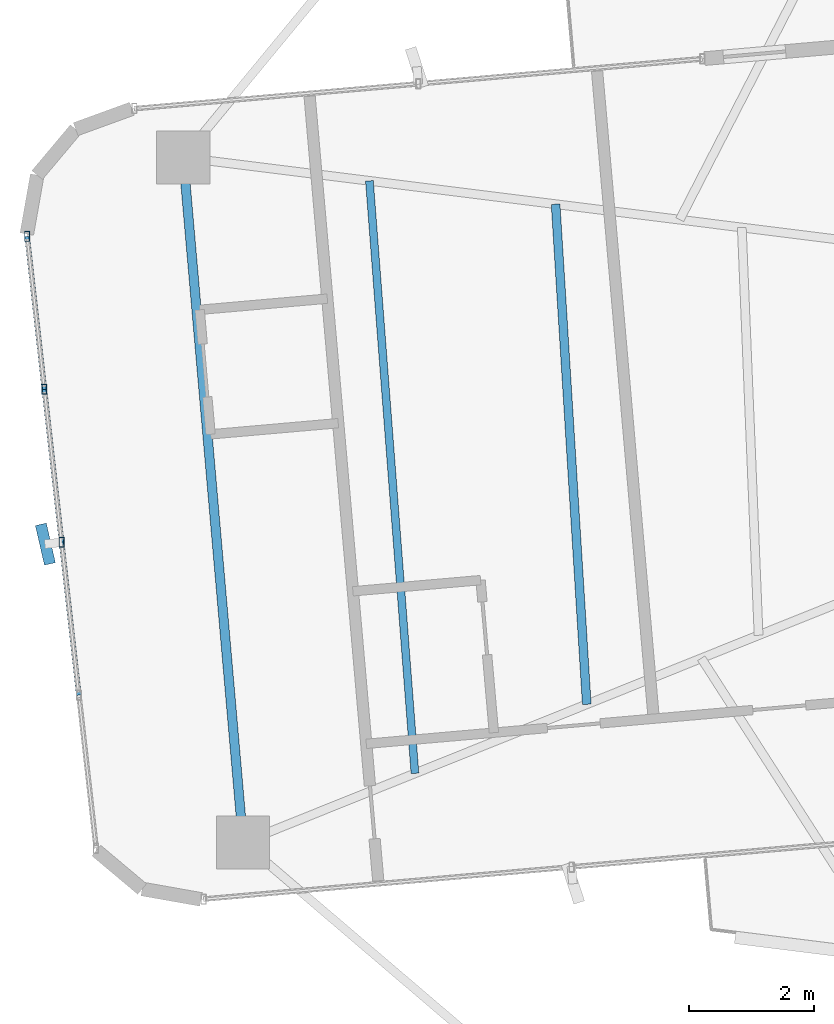
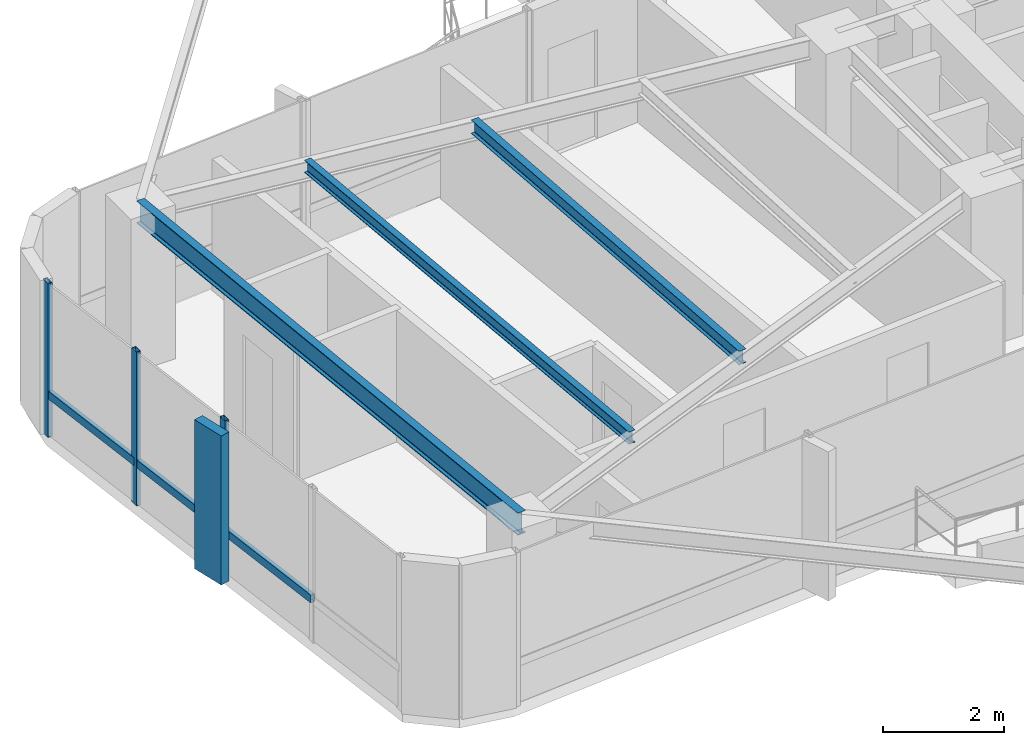
# One storey, part 8 of 24: 7 members, 3 beams, 1 element without a shape of its own.
"""IFC4 building model written with IfcOpenShell, lengths in metres."""

from ifc_helpers import new_model, si_unit, direction, frame, origin, origin_2d, place, context, subcontext, project, spatial, rectangle, hollow_rectangle, i_section, extrude, source, transform, mapped, material, material_profile, profile_set, type_object, element, aggregate, save


model = new_model("IFC4")

# Units and contexts
model_context = context("Model", 3, precision=1e-05, world=origin(), true_north=direction((0.0, 1.0)))
body_context = subcontext(model_context, "Body", "Model", "MODEL_VIEW")
ifc_project = project(units=[si_unit("LENGTHUNIT", "METRE"), si_unit("AREAUNIT", "SQUARE_METRE"), si_unit("VOLUMEUNIT", "CUBIC_METRE"), si_unit("PLANEANGLEUNIT", "RADIAN"), si_unit("MASSUNIT", "GRAM", prefix="KILO")], contexts=[model_context])

# Site, building, storey
site_placement = place(None, origin())
site = spatial("IfcSite", under=ifc_project, at=site_placement, CompositionType="ELEMENT")
building_placement = place(site_placement, origin())
building = spatial("IfcBuilding", under=site, at=building_placement, Name="Sahyath Konkavel Grand Hotel", CompositionType="ELEMENT")
storey_placement = place(building_placement, frame((0.0, 0.0, 195.300048828125)))
storey = spatial("IfcBuildingStorey", under=building, at=storey_placement, Name="L54", CompositionType="ELEMENT", Elevation=195.300048828125)

# Beams
ifc_material_1 = material(Name="Steel E350", Category="steel")
ifc_material_profile_1 = material_profile(ifc_material_1, i_section(OverallWidth=0.14990234375, OverallDepth=0.449951171875, WebThickness=0.009521484375, FlangeThickness=0.017333984375, FilletRadius=0.014892578125, at=origin_2d()), Name="ISMB 450")
ifc_profile_set_1 = profile_set([ifc_material_profile_1], Name="Steel E350")
beam_type_1 = type_object("IfcBeamType", Name="BM-ISMB450", PredefinedType="BEAM", material=ifc_profile_set_1)
shared_shape_1 = source(origin(), body_context, "Body", "SweptSolid", [
    extrude(i_section(OverallWidth=0.14990234375, OverallDepth=0.449951171875, WebThickness=0.009521484375, FlangeThickness=0.017333984375, FilletRadius=0.014892578125, at=origin_2d()), origin(), (0.0, 0.0, 1.0), 11.0),
])
beam_1_placement = place(storey_placement, frame((-17.912841796875, 3.953857421875, 2.885009765625), z_axis=(0.087157314015, -0.996194560622, 0.0), x_axis=(0.996194560622, 0.087157314015, 0.0)))
element("IfcBeam", 1, at=beam_1_placement, inside=storey, type_object=beam_type_1, Name="L54 Wing Tip Edge Beam W", PredefinedType="BEAM", context=body_context, shape_type="MappedRepresentation", body=[
    mapped(shared_shape_1, transform((0.0, 0.0, 0.0), scale=1.0)),
])
ifc_material_profile_2 = material_profile(ifc_material_1, i_section(OverallWidth=0.139892578125, OverallDepth=0.27490234375, WebThickness=0.00634765625, FlangeThickness=0.0087890625, FilletRadius=0.012939453125, at=origin_2d()), Name="ISLB 275")
ifc_profile_set_2 = profile_set([ifc_material_profile_2], Name="Steel E350")
beam_type_2 = type_object("IfcBeamType", Name="BM-ISLB275", PredefinedType="BEAM", material=ifc_profile_set_2)
shared_shape_2 = source(origin(), body_context, "Body", "SweptSolid", [
    extrude(i_section(OverallWidth=0.139892578125, OverallDepth=0.27490234375, WebThickness=0.00634765625, FlangeThickness=0.0087890625, FilletRadius=0.012939453125, at=origin_2d()), origin(), (0.0, 0.0, 1.0), 8.017822265625),
])
beam_2_placement = place(storey_placement, frame((-11.95458984375, 3.2080078125, 2.972412109375), z_axis=(0.062179233264, -0.998064999362, 0.0), x_axis=(0.998064999362, 0.062179233264, 0.0)))
element("IfcBeam", 2, at=beam_2_placement, inside=storey, type_object=beam_type_2, Name="L54 Secondary Floor Beam W-2", PredefinedType="BEAM", context=body_context, shape_type="MappedRepresentation", body=[
    mapped(shared_shape_2, transform((0.0, 0.0, 0.0), scale=1.0)),
])
ifc_material_profile_3 = material_profile(ifc_material_1, i_section(OverallWidth=0.125, OverallDepth=0.25, WebThickness=0.0068359375, FlangeThickness=0.012451171875, FilletRadius=0.012939453125, at=origin_2d()), Name="ISMB 250")
ifc_profile_set_3 = profile_set([ifc_material_profile_3], Name="Steel E350")
beam_type_3 = type_object("IfcBeamType", Name="BM-ISMB250", PredefinedType="BEAM", material=ifc_profile_set_3)
shared_shape_3 = source(origin(), body_context, "Body", "SweptSolid", [
    extrude(i_section(OverallWidth=0.125, OverallDepth=0.25, WebThickness=0.0068359375, FlangeThickness=0.012451171875, FilletRadius=0.012939453125, at=origin_2d()), origin(), (0.0, 0.0, 1.0), 9.508056640625),
])
beam_3_placement = place(storey_placement, frame((-14.93359375, 3.580810546875, 2.98486328125), z_axis=(0.076619921029, -0.997060373148, 0.0), x_axis=(0.997060373148, 0.076619921029, 0.0)))
element("IfcBeam", 3, at=beam_3_placement, inside=storey, type_object=beam_type_3, Name="L54 Secondary Floor Beam W-3", PredefinedType="BEAM", context=body_context, shape_type="MappedRepresentation", body=[
    mapped(shared_shape_3, transform((0.0, 0.0, 0.0), scale=1.0)),
])

# Curtain wall, members
ifc_material_2 = material(Name="Anodised Bronze Aluminium & Low-E Glazing", Category="aluminium")
curtain_wall_type = type_object("IfcCurtainWallType", Name="CW-ZONE3", PredefinedType="NOTDEFINED", material=ifc_material_2)
curtain_wall_placement = place(storey_placement, origin())
curtain_wall = element("IfcCurtainWall", 4, at=curtain_wall_placement, inside=storey, type_object=curtain_wall_type, Name="L54 Unitised Curtain Wall F20", PredefinedType="NOTDEFINED")
ifc_material_3 = material(Name="Anodised Bronze Aluminium", Category="aluminium")
ifc_material_profile_4 = material_profile(ifc_material_3, hollow_rectangle(XDim=0.080078125, YDim=0.159912109375, WallThickness=0.006103515625, at=origin_2d()), Name="RHS 160x80x6")
ifc_profile_set_4 = profile_set([ifc_material_profile_4], Name="Anodised Bronze Aluminium")
member_type_1 = type_object("IfcMemberType", Name="CW-MUL-160", PredefinedType="MULLION", material=ifc_profile_set_4)
shared_shape_4 = source(origin(), body_context, "Body", "SweptSolid", [
    extrude(hollow_rectangle(XDim=0.080078125, YDim=0.159912109375, WallThickness=0.006103515625, at=origin_2d()), origin(), (0.0, 0.0, 1.0), 3.10986328125),
])
member_1_placement = place(storey_placement, frame((-20.4111328125, 2.69140625, 0.0), z_axis=(0.0, 0.0, 1.0), x_axis=(1.0, 0.0, 0.0)))
member_1 = element("IfcMember", 5, at=member_1_placement, type_object=member_type_1, Name="L54 Curtain Wall Mullion F20-0", PredefinedType="MULLION", context=body_context, shape_type="MappedRepresentation", body=[
    mapped(shared_shape_4, transform((0.0, 0.0, 0.0), scale=1.0)),
])
member_2_placement = place(storey_placement, frame((-20.135498046875, 0.24462890625, 0.0), z_axis=(0.0, 0.0, 1.0), x_axis=(1.0, 0.0, 0.0)))
member_2 = element("IfcMember", 6, at=member_2_placement, type_object=member_type_1, Name="L54 Curtain Wall Mullion F20-1", PredefinedType="MULLION", context=body_context, shape_type="MappedRepresentation", body=[
    mapped(shared_shape_4, transform((0.0, 0.0, 0.0), scale=1.0)),
])
member_3_placement = place(storey_placement, frame((-19.859619140625, -2.201904296875, 0.0), z_axis=(0.0, 0.0, 1.0), x_axis=(1.0, 0.0, 0.0)))
member_3 = element("IfcMember", 7, at=member_3_placement, type_object=member_type_1, Name="L54 Curtain Wall Mullion F20-2", PredefinedType="MULLION", context=body_context, shape_type="MappedRepresentation", body=[
    mapped(shared_shape_4, transform((0.0, 0.0, 0.0), scale=1.0)),
])
ifc_material_4 = material(Name="Warm Buff Sandstone Cladding on Concrete C50/60", Category="masonry")
ifc_material_profile_5 = material_profile(ifc_material_4, rectangle(XDim=0.179931640625, YDim=0.64990234375, at=origin_2d()), Name="FIN 180x650")
ifc_profile_set_5 = profile_set([ifc_material_profile_5], Name="Warm Buff Sandstone Cladding on Concrete C50/60")
member_type_2 = type_object("IfcMemberType", Name="FIN-SANDSTONE-650", PredefinedType="MULLION", material=ifc_profile_set_5)
shared_shape_5 = source(origin(), body_context, "Body", "SweptSolid", [
    extrude(rectangle(XDim=0.179931640625, YDim=0.64990234375, at=origin_2d()), origin(), (0.0, 0.0, 1.0), 3.010009765625),
])
member_4_placement = place(storey_placement, frame((-20.1181640625, -2.23095703125, 0.050048828125), z_axis=(0.0, 0.0, 1.0), x_axis=(0.974644167091, 0.223760469153, 0.0)))
member_4 = element("IfcMember", 8, at=member_4_placement, type_object=member_type_2, Name="L54 Sandstone Vertical Solar Fin FIN F20-2", PredefinedType="MULLION", context=body_context, shape_type="MappedRepresentation", body=[
    mapped(shared_shape_5, transform((0.0, 0.0, 0.0), scale=1.0)),
])
ifc_material_profile_6 = material_profile(ifc_material_3, hollow_rectangle(XDim=0.080078125, YDim=0.159912109375, WallThickness=0.006103515625, at=origin_2d()), Name="RHS 160x80x6")
ifc_profile_set_6 = profile_set([ifc_material_profile_6], Name="Anodised Bronze Aluminium")
member_type_3 = type_object("IfcMemberType", Name="CW-TRN-160", PredefinedType="USERDEFINED", material=ifc_profile_set_6)
shared_shape_6 = source(origin(), body_context, "Body", "SweptSolid", [
    extrude(hollow_rectangle(XDim=0.080078125, YDim=0.159912109375, WallThickness=0.006103515625, at=origin_2d()), origin(), (0.0, 0.0, 1.0), 2.462158203125),
])
member_5_placement = place(storey_placement, frame((-20.4111328125, 2.69140625, 0.849853515625), z_axis=(0.11194409079, -0.993714506555, 0.0), x_axis=(0.993714506555, 0.11194409079, 0.0)))
member_5 = element("IfcMember", 9, at=member_5_placement, type_object=member_type_3, Name="L54 Curtain Wall Transom F20-0-spandrel", ObjectType="TRANSOM", PredefinedType="USERDEFINED", context=body_context, shape_type="MappedRepresentation", body=[
    mapped(shared_shape_6, transform((0.0, 0.0, 0.0), scale=1.0)),
])
member_6_placement = place(storey_placement, frame((-20.135498046875, 0.24462890625, 0.849853515625), z_axis=(0.112053040279, -0.99370222711, 0.0), x_axis=(0.99370222711, 0.112053040279, 0.0)))
member_6 = element("IfcMember", 10, at=member_6_placement, type_object=member_type_3, Name="L54 Curtain Wall Transom F20-1-spandrel", ObjectType="TRANSOM", PredefinedType="USERDEFINED", context=body_context, shape_type="MappedRepresentation", body=[
    mapped(shared_shape_6, transform((0.0, 0.0, 0.0), scale=1.0)),
])
shared_shape_7 = source(origin(), body_context, "Body", "SweptSolid", [
    extrude(hollow_rectangle(XDim=0.080078125, YDim=0.159912109375, WallThickness=0.006103515625, at=origin_2d()), origin(), (0.0, 0.0, 1.0), 2.461669921875),
])
member_7_placement = place(storey_placement, frame((-19.859619140625, -2.201904296875, 0.849853515625), z_axis=(0.111966154832, -0.993712020744, 0.0), x_axis=(0.993712020744, 0.111966154832, 0.0)))
member_7 = element("IfcMember", 11, at=member_7_placement, type_object=member_type_3, Name="L54 Curtain Wall Transom F20-2-spandrel", ObjectType="TRANSOM", PredefinedType="USERDEFINED", context=body_context, shape_type="MappedRepresentation", body=[
    mapped(shared_shape_7, transform((0.0, 0.0, 0.0), scale=1.0)),
])
aggregate(curtain_wall, [member_1, member_2, member_3, member_4, member_5, member_6, member_7])

save(model, "model.ifc")
